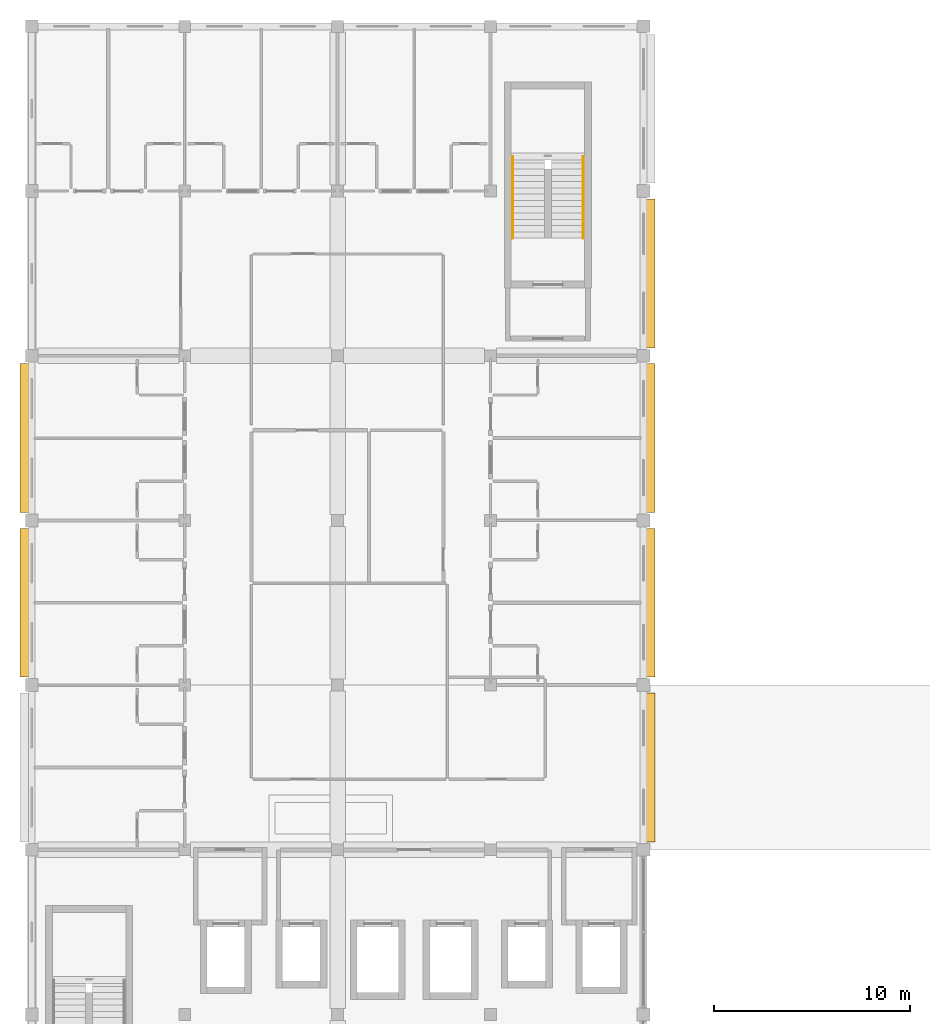
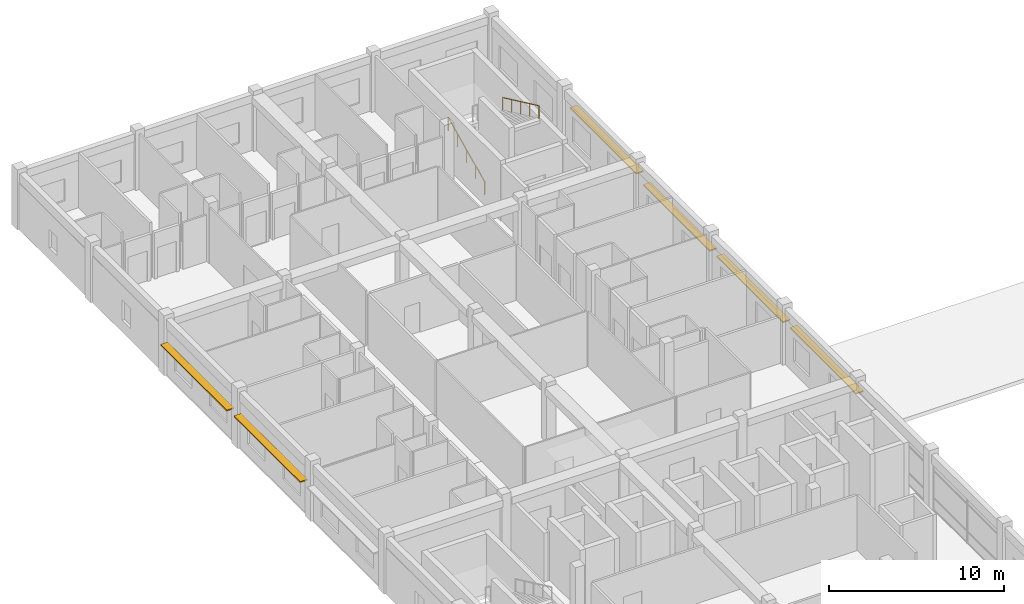
# One storey, part 28 of 32: 6 shading devices, 2 railings.
"""IFC4 building model written with IfcOpenShell, lengths in metres."""

from ifc_helpers import new_model, si_unit, direction, frame, origin, origin_2d, place, context, subcontext, project, spatial, rectangle, circle, extrude, material, layer, layer_set, type_object, element, save


model = new_model("IFC4")

# Units and contexts
model_context = context("Model", 3, precision=1e-05, world=origin(), true_north=direction((0.0, 1.0)))
body_context = subcontext(model_context, "Body", "Model", "MODEL_VIEW")
ifc_project = project(units=[si_unit("LENGTHUNIT", "METRE"), si_unit("AREAUNIT", "SQUARE_METRE"), si_unit("VOLUMEUNIT", "CUBIC_METRE"), si_unit("PLANEANGLEUNIT", "RADIAN"), si_unit("MASSUNIT", "GRAM", prefix="KILO"), si_unit("THERMODYNAMICTEMPERATUREUNIT", "KELVIN"), si_unit("POWERUNIT", "WATT")], contexts=[model_context])

# Site, building, storey
site_placement = place(None, origin())
site = spatial("IfcSite", under=ifc_project, at=site_placement, CompositionType="ELEMENT")
building_placement = place(site_placement, origin())
building = spatial("IfcBuilding", under=site, at=building_placement, Name="Srebrne Nadtorze General Hospital", CompositionType="ELEMENT")
storey_placement = place(building_placement, frame((0.0, 0.0, 29.699951171875)))
storey = spatial("IfcBuildingStorey", under=building, at=storey_placement, Name="L07", CompositionType="ELEMENT", Elevation=29.699951171875)

# Shading devices
ifc_material_1 = material(Name="Anodised Aluminium", Category="aluminium")
ifc_layer = layer(ifc_material_1, 0.080078125)
ifc_layer_set = layer_set([ifc_layer], Name="Anodised Aluminium")
shading_device_type = type_object("IfcShadingDeviceType", Name="Hisashi horizontal aluminium sunshade", PredefinedType="JALOUSIE", material=ifc_layer_set)
for number, where, z_axis, x_axis, name in (
    (1, (23.0400390625, 63.0, 2.3701171875), (0.0, 0.0, 1.0), (1.0, 0.0, 0.0), "Hisashi horizontal sunshade eave LV-409"),
    (2, (23.0400390625, 71.39990234375, 2.27001953125), (0.0, 0.0, 1.0), (1.0, 0.0, 0.0), "Hisashi horizontal sunshade eave LV-410"),
    (3, (54.9599609375, 54.60009765625, 2.469970703125), (0.0, 0.0, 1.0), (1.0, 0.0, 0.0), "Hisashi horizontal sunshade eave LV-412"),
    (4, (54.9599609375, 63.0, 2.3701171875), (0.0, 0.0, 1.0), (1.0, 0.0, 0.0), "Hisashi horizontal sunshade eave LV-413"),
    (5, (54.9599609375, 71.39990234375, 2.27001953125), (0.0, 0.0, 1.0), (1.0, 0.0, 0.0), "Hisashi horizontal sunshade eave LV-414"),
    (6, (54.9599609375, 79.800048828125, 2.570068359375), (0.0, 0.0, 1.0), (1.0, 0.0, 0.0), "Hisashi horizontal sunshade eave LV-415"),
):
    element("IfcShadingDevice", number, at=place(storey_placement, frame(where, z_axis=z_axis, x_axis=x_axis)), inside=storey, type_object=shading_device_type, Name=name, PredefinedType="JALOUSIE", context=body_context, shape_type="SweptSolid", body=[
        extrude(rectangle(XDim=0.47998046875, YDim=7.590087890625, at=origin_2d()), origin(), (0.0, 0.0, 1.0), 0.080078125),
    ])

# Railings
ifc_material_2 = material(Name="Stainless Steel 316", Category="steel")
railing_type = type_object("IfcRailingType", Name="Tubular stainless handrail 920", PredefinedType="HANDRAIL", material=ifc_material_2)
railing_1_placement = place(storey_placement, frame((47.929931640625, 81.60009765625, 0.150146484375)))
element("IfcRailing", 7, at=railing_1_placement, inside=storey, type_object=railing_type, Name="Stair flight handrail ST-02-L07 F1", PredefinedType="HANDRAIL", context=body_context, shape_type="SweptSolid", body=[
    extrude(circle(Radius=0.02392578125, at=origin_2d()), frame((0.0, 0.0, 0.89599609375), z_axis=(0.0, 0.905459574153, 0.424432514746), x_axis=(-1.0, 0.0, 0.0)), (0.0, 0.0, 1.0), 4.59423828125),
    extrude(circle(Radius=0.02099609375, at=origin_2d()), origin(), (0.0, 0.0, 1.0), 0.871826171875),
    extrude(circle(Radius=0.02099609375, at=origin_2d()), frame((0.0, 1.0400390625, 0.487548828125)), (0.0, 0.0, 1.0), 0.871826171875),
    extrude(circle(Radius=0.02099609375, at=origin_2d()), frame((0.0, 2.080078125, 0.97509765625)), (0.0, 0.0, 1.0), 0.871826171875),
    extrude(circle(Radius=0.02099609375, at=origin_2d()), frame((0.0, 3.119873046875, 1.46240234375)), (0.0, 0.0, 1.0), 0.871826171875),
    extrude(circle(Radius=0.02099609375, at=origin_2d()), frame((0.0, 4.159912109375, 1.949951171875)), (0.0, 0.0, 1.0), 0.871826171875),
])
railing_2_placement = place(storey_placement, frame((51.52001953125, 85.760009765625, 2.25)))
element("IfcRailing", 8, at=railing_2_placement, inside=storey, type_object=railing_type, Name="Stair flight handrail ST-02-L07 F2", PredefinedType="HANDRAIL", context=body_context, shape_type="SweptSolid", body=[
    extrude(circle(Radius=0.02392578125, at=origin_2d()), frame((0.0, 0.0, 0.89599609375), z_axis=(0.0, -0.905459574153, 0.424432514746), x_axis=(1.0, 0.0, 0.0)), (0.0, 0.0, 1.0), 4.59423828125),
    extrude(circle(Radius=0.02099609375, at=origin_2d()), origin(), (0.0, 0.0, 1.0), 0.871826171875),
    extrude(circle(Radius=0.02099609375, at=origin_2d()), frame((0.0, -1.0400390625, 0.487548828125)), (0.0, 0.0, 1.0), 0.871826171875),
    extrude(circle(Radius=0.02099609375, at=origin_2d()), frame((0.0, -2.080078125, 0.97509765625)), (0.0, 0.0, 1.0), 0.871826171875),
    extrude(circle(Radius=0.02099609375, at=origin_2d()), frame((0.0, -3.119873046875, 1.46240234375)), (0.0, 0.0, 1.0), 0.871826171875),
    extrude(circle(Radius=0.02099609375, at=origin_2d()), frame((0.0, -4.159912109375, 1.949951171875)), (0.0, 0.0, 1.0), 0.871826171875),
])

save(model, "model.ifc")
